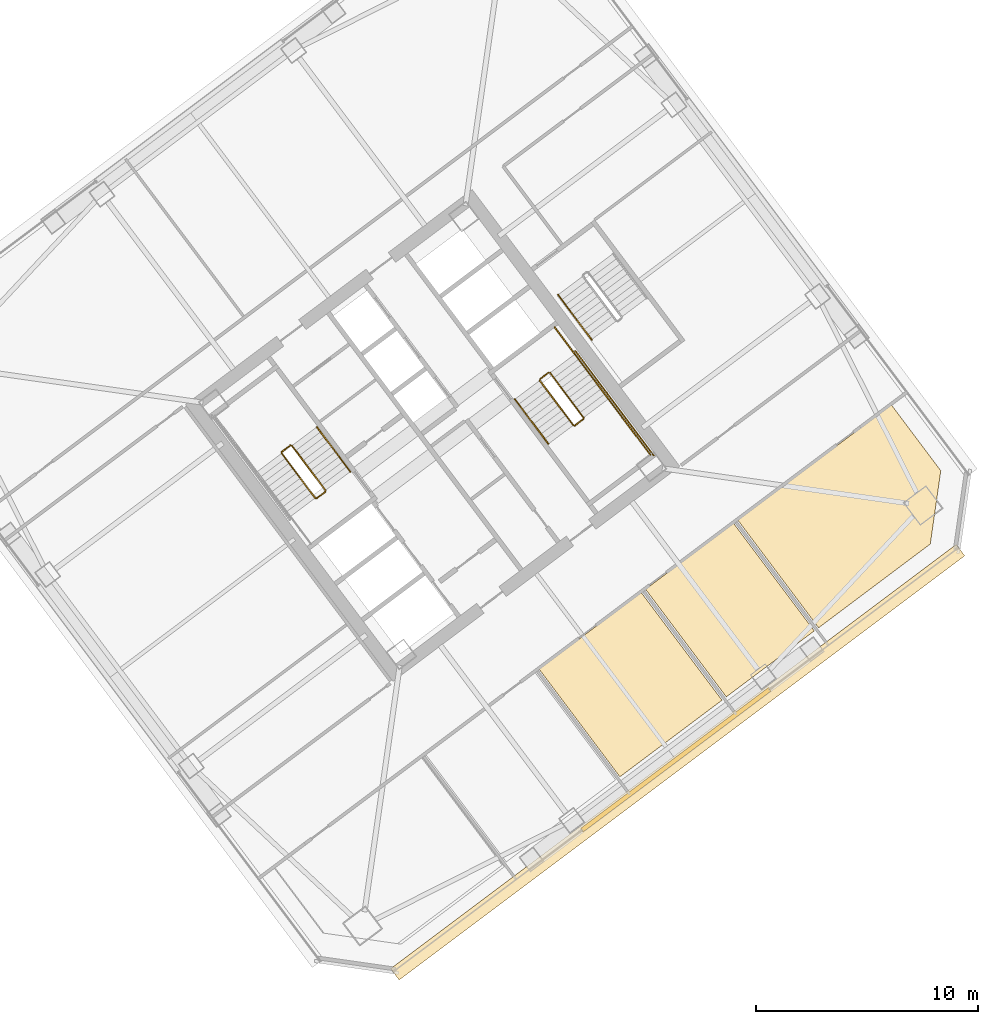
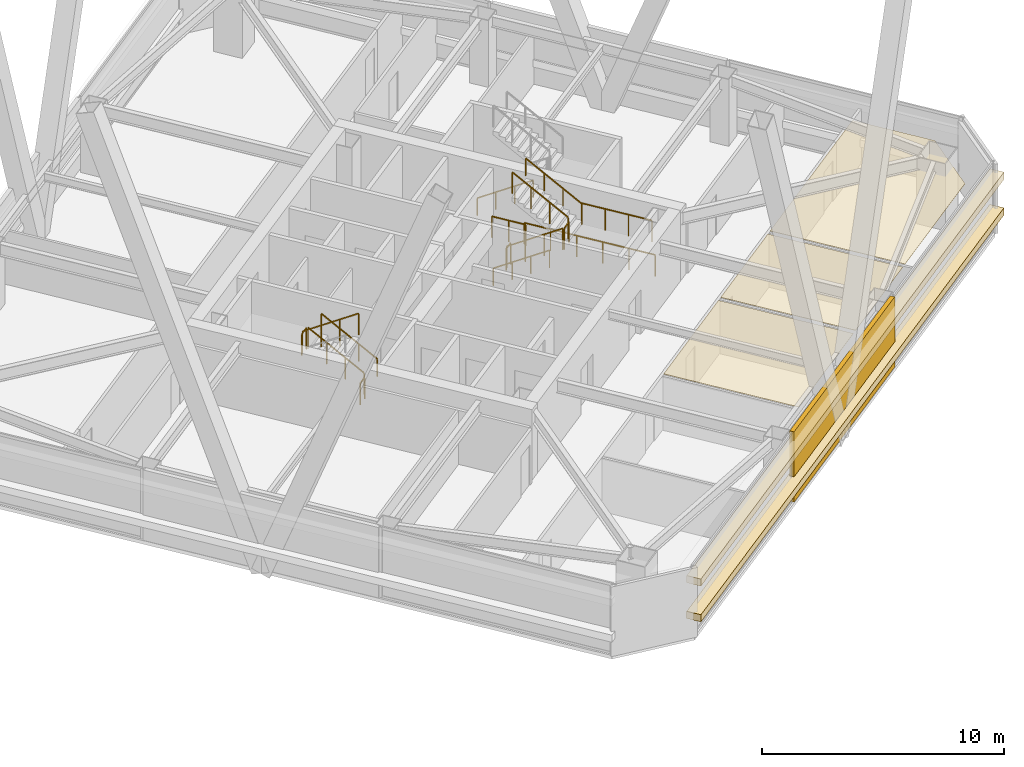
# One storey, part 48 of 50: 15 railings, 6 coverings.
"""IFC4 building model written with IfcOpenShell, lengths in metres."""

import ifcopenshell
import ifcopenshell.guid

model = None  # the IFC model being written
_history = None  # IfcOwnerHistory: only IFC2X3 demands one
_inside = {}  # id of a spatial element -> (the spatial element, [elements in it])
_under = {}  # id of a project, library or spatial element -> (it, [spatial elements below it])
_declared = {}  # id of a project -> (the project, [libraries it declares])
_typed = {}  # id of a type object -> (the type object, [elements of that type])
_made_of = {}  # id of a material, layer set ... -> (it, [elements and type objects made of it])


def new_model(schema):
    """Start an empty IFC model of exactly this schema.

    Asked for "IFC4X3", IfcOpenShell would pick the latest addendum, in which some entities
    have other attributes; the version numbers below select the first issue.
    IFC2X3 requires an IfcOwnerHistory on every rooted entity: one is made here for all.
    """
    global model, _history
    if schema == "IFC4X3":
        model = ifcopenshell.file(schema_version=(4, 3, 0, 0))
    else:
        model = ifcopenshell.file(schema=schema)
    _inside.clear()
    _under.clear()
    _declared.clear()
    _typed.clear()
    _made_of.clear()
    _history = None
    if model.schema == "IFC2X3":
        org = make("IfcOrganization", Name="unknown")
        user = make(
            "IfcPersonAndOrganization",
            ThePerson=make("IfcPerson", FamilyName="unknown"),
            TheOrganization=org,
        )
        app = make(
            "IfcApplication",
            ApplicationDeveloper=org,
            Version="unknown",
            ApplicationFullName="unknown",
            ApplicationIdentifier="unknown",
        )
        _history = make(
            "IfcOwnerHistory",
            OwningUser=user,
            OwningApplication=app,
            ChangeAction="ADDED",
            CreationDate=0,
        )
    return model


def make(cls, **values):
    """One entity of the class cls with the attributes given. An attribute that is None is left unset."""
    return model.create_entity(
        cls, **{name: value for name, value in values.items() if value is not None}
    )


def rooted(cls, **values):
    """An entity with a GlobalId (a new one), such as an element, a storey or a relation."""
    return make(cls, GlobalId=ifcopenshell.guid.new(), OwnerHistory=_history, **values)


def si_unit(unit_type, name, prefix=None):
    """IfcSIUnit, for example si_unit("LENGTHUNIT", "METRE", prefix="MILLI")."""
    return make("IfcSIUnit", UnitType=unit_type, Prefix=prefix, Name=name)


def assignment(units):
    """IfcUnitAssignment: the units of a project."""
    return None if units is None else make("IfcUnitAssignment", Units=units)


def point(xyz):
    """IfcCartesianPoint."""
    return None if xyz is None else make("IfcCartesianPoint", Coordinates=xyz)


def direction(xyz):
    """IfcDirection."""
    return None if xyz is None else make("IfcDirection", DirectionRatios=xyz)


def frame(location, z_axis=None, x_axis=None):
    """IfcAxis2Placement3D, a coordinate frame: its origin and axes. An axis left out is left unset."""
    return make(
        "IfcAxis2Placement3D",
        Location=point(location),
        Axis=direction(z_axis),
        RefDirection=direction(x_axis),
    )


def frame_2d(location, x_axis=None):
    """IfcAxis2Placement2D, a coordinate frame in the plane: its origin and x axis."""
    return make(
        "IfcAxis2Placement2D", Location=point(location), RefDirection=direction(x_axis)
    )


def origin():
    """The frame at (0, 0, 0) with its axes left unset."""
    return frame((0.0, 0.0, 0.0))


def origin_2d():
    """The frame at (0, 0) in the plane with its x axis left unset."""
    return frame_2d((0.0, 0.0))


def place(relative_to, where):
    """IfcLocalPlacement: puts the frame where relative to a parent placement (None: the world)."""
    return make(
        "IfcLocalPlacement", PlacementRelTo=relative_to, RelativePlacement=where
    )


def context(
    kind, dimensions, precision=None, world=None, true_north=None, identifier=None
):
    """IfcGeometricRepresentationContext, for example the 3D "Model" context."""
    return make(
        "IfcGeometricRepresentationContext",
        ContextIdentifier=identifier,
        ContextType=kind,
        CoordinateSpaceDimension=dimensions,
        Precision=precision,
        WorldCoordinateSystem=world,
        TrueNorth=true_north,
    )


def subcontext(parent, identifier, kind, view, scale=None):
    """IfcGeometricRepresentationSubContext, for example "Body" below "Model"."""
    return make(
        "IfcGeometricRepresentationSubContext",
        ContextIdentifier=identifier,
        ContextType=kind,
        ParentContext=parent,
        TargetScale=scale,
        TargetView=view,
    )


def project(units=None, contexts=None):
    """IfcProject with its units and contexts."""
    return rooted(
        "IfcProject",
        Name="project",
        RepresentationContexts=contexts,
        UnitsInContext=assignment(units),
    )


def spatial(cls, under=None, at=None, **own):
    """A site, building, storey or space (cls), placed at a placement, below another one or the project."""
    s = rooted(cls, ObjectPlacement=at, **own)
    if under is not None:
        _under.setdefault(under.id(), (under, []))[1].append(s)
    return s


def polyline(points):
    """IfcPolyline through the points."""
    return make("IfcPolyline", Points=[point(p) for p in points])


def profile(cls, at=None, kind="AREA", **sizes):
    """A parametric profile (cls). Its sizes go by their IFC names, for example OverallWidth=200.0."""
    return make(cls, ProfileType=kind, Position=at, **sizes)


def rectangle(**sizes):
    """IfcRectangleProfileDef."""
    return profile("IfcRectangleProfileDef", **sizes)


def outline(outer, holes=None, kind="AREA"):
    """IfcArbitraryClosedProfileDef: a profile drawn as a closed curve; with holes, ...WithVoids."""
    if holes is None:
        return make("IfcArbitraryClosedProfileDef", ProfileType=kind, OuterCurve=outer)
    return make(
        "IfcArbitraryProfileDefWithVoids",
        ProfileType=kind,
        OuterCurve=outer,
        InnerCurves=holes,
    )


def extrude(swept, where, along, depth):
    """IfcExtrudedAreaSolid: the profile swept, set in the frame where, extruded along a direction by depth."""
    return make(
        "IfcExtrudedAreaSolid",
        SweptArea=swept,
        Position=where,
        ExtrudedDirection=direction(along),
        Depth=depth,
    )


def shape(context_of_items, identifier, shape_type, items):
    """IfcShapeRepresentation: the items that make up one representation, for example the "Body"."""
    return make(
        "IfcShapeRepresentation",
        ContextOfItems=context_of_items,
        RepresentationIdentifier=identifier,
        RepresentationType=shape_type,
        Items=items,
    )


def material(Name=None, Category=None):
    """IfcMaterial."""
    return make("IfcMaterial", Name=Name, Category=Category)


def layer(
    of_material, thickness, ventilated=None, Name=None, Category=None, Priority=None
):
    """IfcMaterialLayer: one layer of a wall or slab, of a material (None: an air gap)."""
    return make(
        "IfcMaterialLayer",
        Material=of_material,
        LayerThickness=thickness,
        IsVentilated=ventilated,
        Name=Name,
        Category=Category,
        Priority=Priority,
    )


def layer_set(layers, Name=None):
    """IfcMaterialLayerSet."""
    return make("IfcMaterialLayerSet", MaterialLayers=layers, LayerSetName=Name)


def made_of(thing, what):
    """Note that an element or type object is made of a material, layer set ...; save() writes the relation."""
    if what is not None:
        _made_of.setdefault(what.id(), (what, []))[1].append(thing)
    return thing


def type_object(cls, material=None, **own):
    """A type object (cls), such as IfcWallType, which elements share."""
    return made_of(rooted(cls, **own), material)


def element(
    cls,
    number,
    at=None,
    inside=None,
    cuts=None,
    type_object=None,
    material=None,
    context=None,
    identifier="Body",
    shape_type=None,
    held_by="IfcProductDefinitionShape",
    body=None,
    shapes=None,
    **own,
):
    """One element of the class cls, such as IfcWall. Its Tag is "e" and its number.

    at: its placement. inside: the storey or other place that contains it. cuts: it is an
    opening in that element (IfcRelVoidsElement). A single representation is given by context,
    identifier, shape_type and body (its items); several are given by shapes. held_by: the class
    of the entity that holds the representations. save() writes the other relations.
    """
    e = rooted(cls, Tag="e%d" % number, ObjectPlacement=at, **own)
    if body is not None:
        shapes = [shape(context, identifier, shape_type, body)]
    if shapes is not None:
        e.Representation = make(held_by, Representations=shapes)
    if inside is not None:
        _inside.setdefault(inside.id(), (inside, []))[1].append(e)
    if cuts is not None:
        rooted(
            "IfcRelVoidsElement", RelatingBuildingElement=cuts, RelatedOpeningElement=e
        )
    if type_object is not None:
        _typed.setdefault(type_object.id(), (type_object, []))[1].append(e)
    return made_of(e, material)


def aggregate(whole, parts):
    """IfcRelAggregates: a whole, such as a stair, and the parts it consists of."""
    return rooted("IfcRelAggregates", RelatingObject=whole, RelatedObjects=parts)


def save(model, path):
    """Write the relations noted so far, then the file.

    IfcRelAggregates (storeys below a building ...), IfcRelContainedInSpatialStructure (elements
    in a storey), IfcRelDefinesByType, IfcRelAssociatesMaterial and IfcRelDeclares: one each for
    every whole, place, type object, material and project.
    """
    for whole, parts in _under.values():
        aggregate(whole, parts)
    for where, things in _inside.values():
        rooted(
            "IfcRelContainedInSpatialStructure",
            RelatedElements=things,
            RelatingStructure=where,
        )
    for kind, things in _typed.values():
        rooted("IfcRelDefinesByType", RelatedObjects=things, RelatingType=kind)
    for what, things in _made_of.values():
        rooted("IfcRelAssociatesMaterial", RelatedObjects=things, RelatingMaterial=what)
    for by, libraries in _declared.values():
        rooted("IfcRelDeclares", RelatingContext=by, RelatedDefinitions=libraries)
    model.write(path)


model = new_model("IFC4")

# Units and contexts
model_context = context("Model", 3, precision=1e-05, world=origin(), true_north=direction((0.0, 1.0)))
body_context = subcontext(model_context, "Body", "Model", "MODEL_VIEW")
ifc_project = project(units=[si_unit("LENGTHUNIT", "METRE"), si_unit("AREAUNIT", "SQUARE_METRE"), si_unit("VOLUMEUNIT", "CUBIC_METRE"), si_unit("PLANEANGLEUNIT", "RADIAN"), si_unit("MASSUNIT", "GRAM", prefix="KILO")], contexts=[model_context])

# Site, building, storey
site_placement = place(None, origin())
site = spatial("IfcSite", under=ifc_project, at=site_placement, CompositionType="ELEMENT")
building_placement = place(site_placement, origin())
building = spatial("IfcBuilding", under=site, at=building_placement, Name="Tashvorn Skyway Center", CompositionType="ELEMENT")
storey_placement = place(building_placement, frame((0.0, 0.0, 114.39990234375)))
storey = spatial("IfcBuildingStorey", under=building, at=storey_placement, Name="L30", CompositionType="ELEMENT", Elevation=114.39990234375)

# Coverings
ifc_material_1 = material(Name="Precast concrete C40/50", Category="concrete")
ifc_layer_1 = layer(ifc_material_1, 0.199951171875)
ifc_layer_set_1 = layer_set([ifc_layer_1], Name="Precast concrete C40/50")
covering_type_1 = type_object("IfcCoveringType", Name="COV-BRACE-CLAD", PredefinedType="CLADDING", material=ifc_layer_set_1)
covering_1_placement = place(storey_placement, frame((124.968017578125, 17.3759765625, 0.0), z_axis=(0.0, 0.0, 1.0), x_axis=(-0.799999996291, -0.600000004945, 0.0)))
element("IfcCovering", 1, at=covering_1_placement, inside=storey, type_object=covering_type_1, Name="Tower 2 L30 South Unitised Curtain Wall Mega-Brace Cladding Band 1", PredefinedType="CLADDING", context=body_context, shape_type="SweptSolid", body=[
    extrude(rectangle(XDim=10.586669921875, YDim=0.199951171875, at=origin_2d()), origin(), (0.0, 0.0, 1.0), 3.550048828125),
])
ifc_material_2 = material(Name="Mineral-fibre acoustic ceiling tile on suspended grid")
ifc_layer_2 = layer(ifc_material_2, 0.02001953125)
ifc_layer_set_2 = layer_set([ifc_layer_2], Name="Mineral-fibre acoustic ceiling tile on suspended grid")
covering_type_2 = type_object("IfcCoveringType", Name="COV-CEIL-20", PredefinedType="CEILING", material=ifc_layer_set_2)
covering_2_placement = place(storey_placement, frame((0.0, 0.0, 2.703125)))
element("IfcCovering", 2, at=covering_2_placement, inside=storey, type_object=covering_type_2, Name="Tower 2 L30 Design Studio Acoustic Ceiling", PredefinedType="CEILING", context=body_context, shape_type="SweptSolid", body=[
    extrude(outline(polyline([(118.802001953125, 21.464111328125), (123.409912109375, 24.919921875), (127.052001953125, 20.06396484375), (122.444091796875, 16.60791015625), (118.802001953125, 21.464111328125)])), origin(), (0.0, 0.0, 1.0), 0.02001953125),
])
covering_3_placement = place(storey_placement, frame((0.0, 0.0, 2.703125)))
element("IfcCovering", 3, at=covering_3_placement, inside=storey, type_object=covering_type_2, Name="Tower 2 L30 Reading Lounge Acoustic Ceiling", PredefinedType="CEILING", context=body_context, shape_type="SweptSolid", body=[
    extrude(outline(polyline([(123.60205078125, 25.06396484375), (127.570068359375, 28.0400390625), (131.2119140625, 23.18408203125), (127.243896484375, 20.2080078125), (123.60205078125, 25.06396484375)])), origin(), (0.0, 0.0, 1.0), 0.02001953125),
])
covering_4_placement = place(storey_placement, frame((0.0, 0.0, 2.703125)))
element("IfcCovering", 4, at=covering_4_placement, inside=storey, type_object=covering_type_2, Name="Tower 2 L30 Open Plan Office Acoustic Ceiling", PredefinedType="CEILING", context=body_context, shape_type="SweptSolid", body=[
    extrude(outline(polyline([(131.404052734375, 23.327880859375), (127.761962890625, 28.18408203125), (134.68994140625, 33.3798828125), (136.916015625, 30.412109375), (136.444091796875, 27.10791015625), (131.404052734375, 23.327880859375)])), origin(), (0.0, 0.0, 1.0), 0.02001953125),
])
ifc_material_3 = material(Name="Perforated ceramic-coated bronze aluminium solar screen", Category="aluminium")
ifc_layer_3 = layer(ifc_material_3, 0.85009765625)
ifc_layer_set_3 = layer_set([ifc_layer_3], Name="Perforated ceramic-coated bronze aluminium solar screen")
covering_type_3 = type_object("IfcCoveringType", Name="COV-SOLAR-BAND", PredefinedType="CLADDING", material=ifc_layer_set_3)
for number, where, z_axis, x_axis, name in (
    (5, (125.052001953125, 17.263916015625, 0.919921875), (0.0, 0.0, 1.0), (-0.799999996291, -0.600000004945, 0.0), "L30 Perforated Ceramic-Metal Solar Screen Louvre Band South 1"),
    (6, (125.052001953125, 17.263916015625, 2.72021484375), (0.0, 0.0, 1.0), (-0.799999996291, -0.600000004945, 0.0), "L30 Perforated Ceramic-Metal Solar Screen Louvre Band South 2"),
):
    element("IfcCovering", number, at=place(storey_placement, frame(where, z_axis=z_axis, x_axis=x_axis)), inside=storey, type_object=covering_type_3, Name=name, PredefinedType="CLADDING", context=body_context, shape_type="SweptSolid", body=[
        extrude(rectangle(XDim=31.8798828125, YDim=0.639892578125, at=origin_2d()), origin(), (0.0, 0.0, 1.0), 0.360107421875),
    ])

# Railings
ifc_material_4 = material(Name="Brushed stainless steel 316", Category="steel")
railing_type_1 = type_object("IfcRailingType", Name="RAIL-HAND-920", PredefinedType="HANDRAIL", material=ifc_material_4)
railing_1_placement = place(storey_placement, frame((110.2880859375, 30.365966796875, 0.177490234375)))
element("IfcRailing", 7, at=railing_1_placement, inside=storey, type_object=railing_type_1, Name="L30 ST-T2-1 stair handrail 1", PredefinedType="HANDRAIL", context=body_context, shape_type="SweptSolid", body=[
    extrude(rectangle(XDim=0.048095703125, YDim=0.048095703125, at=origin_2d()), frame((0.0, 0.0, 0.8759765625), z_axis=(-0.506779409603, 0.675651334276, 0.53541563714), x_axis=(-0.799976749893, -0.600030998891, 0.0)), (0.0, 0.0, 1.0), 2.98388671875),
    extrude(rectangle(XDim=0.0419921875, YDim=0.0419921875, at=origin_2d()), origin(), (0.0, 0.0, 1.0), 0.851806640625),
    extrude(rectangle(XDim=0.0419921875, YDim=0.0419921875, at=origin_2d()), frame((-0.504150390625, 0.672119140625, 0.532470703125)), (0.0, 0.0, 1.0), 0.851806640625),
    extrude(rectangle(XDim=0.0419921875, YDim=0.0419921875, at=origin_2d()), frame((-1.008056640625, 1.343994140625, 1.065185546875)), (0.0, 0.0, 1.0), 0.851806640625),
    extrude(rectangle(XDim=0.0419921875, YDim=0.0419921875, at=origin_2d()), frame((-1.51220703125, 2.01611328125, 1.59765625)), (0.0, 0.0, 1.0), 0.851806640625),
])
railing_2_placement = place(storey_placement, frame((117.7119140625, 33.634033203125, 0.177490234375)))
element("IfcRailing", 8, at=railing_2_placement, inside=storey, type_object=railing_type_1, Name="L30 ST-T2-2 stair handrail 1", PredefinedType="HANDRAIL", context=body_context, shape_type="SweptSolid", body=[
    extrude(rectangle(XDim=0.048095703125, YDim=0.048095703125, at=origin_2d()), frame((0.0, 0.0, 0.8759765625), z_axis=(0.506779409603, -0.675651334276, 0.53541563714), x_axis=(0.799976749893, 0.600030998891, 0.0)), (0.0, 0.0, 1.0), 2.98388671875),
    extrude(rectangle(XDim=0.0419921875, YDim=0.0419921875, at=origin_2d()), origin(), (0.0, 0.0, 1.0), 0.851806640625),
    extrude(rectangle(XDim=0.0419921875, YDim=0.0419921875, at=origin_2d()), frame((0.504150390625, -0.672119140625, 0.532470703125)), (0.0, 0.0, 1.0), 0.851806640625),
    extrude(rectangle(XDim=0.0419921875, YDim=0.0419921875, at=origin_2d()), frame((1.008056640625, -1.343994140625, 1.065185546875)), (0.0, 0.0, 1.0), 0.851806640625),
    extrude(rectangle(XDim=0.0419921875, YDim=0.0419921875, at=origin_2d()), frame((1.51220703125, -2.01611328125, 1.59765625)), (0.0, 0.0, 1.0), 0.851806640625),
])
railing_3_placement = place(storey_placement, frame((121.927978515625, 33.64599609375, 1.95263671875)))
element("IfcRailing", 9, at=railing_3_placement, inside=storey, type_object=railing_type_1, Name="L30 ST-T2-2 stair handrail 2", PredefinedType="HANDRAIL", context=body_context, shape_type="SweptSolid", body=[
    extrude(rectangle(XDim=0.048095703125, YDim=0.048095703125, at=origin_2d()), frame((0.0, 0.0, 0.8759765625), z_axis=(-0.506740800098, 0.675708949977, 0.535379469569), x_axis=(-0.800023250257, -0.599968998406, 0.0)), (0.0, 0.0, 1.0), 2.983642578125),
    extrude(rectangle(XDim=0.0419921875, YDim=0.0419921875, at=origin_2d()), origin(), (0.0, 0.0, 1.0), 0.851806640625),
    extrude(rectangle(XDim=0.0419921875, YDim=0.0419921875, at=origin_2d()), frame((-0.50390625, 0.672119140625, 0.532470703125)), (0.0, 0.0, 1.0), 0.851806640625),
    extrude(rectangle(XDim=0.0419921875, YDim=0.0419921875, at=origin_2d()), frame((-1.008056640625, 1.343994140625, 1.06494140625)), (0.0, 0.0, 1.0), 0.851806640625),
    extrude(rectangle(XDim=0.0419921875, YDim=0.0419921875, at=origin_2d()), frame((-1.511962890625, 2.01611328125, 1.597412109375)), (0.0, 0.0, 1.0), 0.851806640625),
])
railing_4_placement = place(storey_placement, frame((119.656005859375, 38.342041015625, 0.177490234375)))
element("IfcRailing", 10, at=railing_4_placement, inside=storey, type_object=railing_type_1, Name="L30 ST-T2-3 stair handrail 1", PredefinedType="HANDRAIL", context=body_context, shape_type="SweptSolid", body=[
    extrude(rectangle(XDim=0.048095703125, YDim=0.048095703125, at=origin_2d()), frame((0.0, 0.0, 0.8759765625), z_axis=(0.506718600913, -0.675679348675, 0.535437836974), x_axis=(0.800023250257, 0.599968998406, 0.0)), (0.0, 0.0, 1.0), 2.98388671875),
    extrude(rectangle(XDim=0.0419921875, YDim=0.0419921875, at=origin_2d()), origin(), (0.0, 0.0, 1.0), 0.851806640625),
    extrude(rectangle(XDim=0.0419921875, YDim=0.0419921875, at=origin_2d()), frame((0.50390625, -0.672119140625, 0.532470703125)), (0.0, 0.0, 1.0), 0.851806640625),
    extrude(rectangle(XDim=0.0419921875, YDim=0.0419921875, at=origin_2d()), frame((1.008056640625, -1.343994140625, 1.065185546875)), (0.0, 0.0, 1.0), 0.851806640625),
    extrude(rectangle(XDim=0.0419921875, YDim=0.0419921875, at=origin_2d()), frame((1.511962890625, -2.01611328125, 1.59765625)), (0.0, 0.0, 1.0), 0.851806640625),
])
ifc_material_5 = material(Name="Painted galvanized steel S355", Category="steel")
railing_type_2 = type_object("IfcRailingType", Name="RAIL-STGUARD-1100", PredefinedType="GUARDRAIL", material=ifc_material_5)
railing_5_placement = place(storey_placement, frame((109.16796875, 29.52587890625, 0.177490234375)))
element("IfcRailing", 11, at=railing_5_placement, inside=storey, type_object=railing_type_2, Name="L30 ST-T2-1 stair guard 1", PredefinedType="GUARDRAIL", context=body_context, shape_type="SweptSolid", body=[
    extrude(rectangle(XDim=0.048095703125, YDim=0.048095703125, at=origin_2d()), frame((0.0, 0.0, 1.076171875), z_axis=(-0.506718600913, 0.675679348675, 0.535437836974), x_axis=(-0.800023250257, -0.599968998406, 0.0)), (0.0, 0.0, 1.0), 2.98388671875),
    extrude(rectangle(XDim=0.0419921875, YDim=0.0419921875, at=origin_2d()), origin(), (0.0, 0.0, 1.0), 1.052001953125),
    extrude(rectangle(XDim=0.0419921875, YDim=0.0419921875, at=origin_2d()), frame((-0.50390625, 0.672119140625, 0.532470703125)), (0.0, 0.0, 1.0), 1.052001953125),
    extrude(rectangle(XDim=0.0419921875, YDim=0.0419921875, at=origin_2d()), frame((-1.008056640625, 1.343994140625, 1.065185546875)), (0.0, 0.0, 1.0), 1.052001953125),
    extrude(rectangle(XDim=0.0419921875, YDim=0.0419921875, at=origin_2d()), frame((-1.511962890625, 2.01611328125, 1.59765625)), (0.0, 0.0, 1.0), 1.052001953125),
])
railing_6_placement = place(storey_placement, frame((107.5859375, 31.552001953125, 1.775146484375)))
element("IfcRailing", 12, at=railing_6_placement, inside=storey, type_object=railing_type_2, Name="L30 ST-T2-1 stair guard 2", PredefinedType="GUARDRAIL", context=body_context, shape_type="SweptSolid", body=[
    extrude(rectangle(XDim=0.048095703125, YDim=0.048095703125, at=origin_2d()), frame((0.0, 0.0, 1.076171875), z_axis=(-0.799938970639, -0.600081363861, 0.0), x_axis=(0.600081363861, -0.799938970639, 0.0)), (0.0, 0.0, 1.0), 0.47998046875),
    extrude(rectangle(XDim=0.0419921875, YDim=0.0419921875, at=origin_2d()), origin(), (0.0, 0.0, 1.0), 1.052001953125),
    extrude(rectangle(XDim=0.0419921875, YDim=0.0419921875, at=origin_2d()), frame((-0.384033203125, -0.2880859375, 0.0)), (0.0, 0.0, 1.0), 1.052001953125),
])
railing_7_placement = place(storey_placement, frame((107.19189453125, 31.194091796875, 1.95263671875)))
element("IfcRailing", 13, at=railing_7_placement, inside=storey, type_object=railing_type_2, Name="L30 ST-T2-1 stair guard 4", PredefinedType="GUARDRAIL", context=body_context, shape_type="SweptSolid", body=[
    extrude(rectangle(XDim=0.048095703125, YDim=0.048095703125, at=origin_2d()), frame((0.0, 0.0, 1.076171875), z_axis=(0.506801609611, -0.675680931896, 0.535357270211), x_axis=(0.799976749893, 0.600030998891, 0.0)), (0.0, 0.0, 1.0), 2.98388671875),
    extrude(rectangle(XDim=0.0419921875, YDim=0.0419921875, at=origin_2d()), origin(), (0.0, 0.0, 1.0), 1.052001953125),
    extrude(rectangle(XDim=0.0419921875, YDim=0.0419921875, at=origin_2d()), frame((0.504150390625, -0.672119140625, 0.532470703125)), (0.0, 0.0, 1.0), 1.052001953125),
    extrude(rectangle(XDim=0.0419921875, YDim=0.0419921875, at=origin_2d()), frame((1.008056640625, -1.343994140625, 1.06494140625)), (0.0, 0.0, 1.0), 1.052001953125),
    extrude(rectangle(XDim=0.0419921875, YDim=0.0419921875, at=origin_2d()), frame((1.51220703125, -2.01611328125, 1.597412109375)), (0.0, 0.0, 1.0), 1.052001953125),
])
railing_8_placement = place(storey_placement, frame((109.157958984375, 29.4560546875, 0.0)))
element("IfcRailing", 14, at=railing_8_placement, inside=storey, type_object=railing_type_2, Name="L30 ST-T2-1 stair guard 5", PredefinedType="GUARDRAIL", context=body_context, shape_type="SweptSolid", body=[
    extrude(rectangle(XDim=0.048095703125, YDim=0.048095703125, at=origin_2d()), frame((0.0, 0.0, 1.076171875), z_axis=(-0.799938970639, -0.600081363861, 0.0), x_axis=(0.600081363861, -0.799938970639, 0.0)), (0.0, 0.0, 1.0), 0.47998046875),
    extrude(rectangle(XDim=0.0419921875, YDim=0.0419921875, at=origin_2d()), origin(), (0.0, 0.0, 1.0), 1.052001953125),
    extrude(rectangle(XDim=0.0419921875, YDim=0.0419921875, at=origin_2d()), frame((-0.384033203125, -0.2880859375, 0.0)), (0.0, 0.0, 1.0), 1.052001953125),
])
railing_9_placement = place(storey_placement, frame((118.83203125, 34.47412109375, 0.177490234375)))
element("IfcRailing", 15, at=railing_9_placement, inside=storey, type_object=railing_type_2, Name="L30 ST-T2-2 stair guard 1", PredefinedType="GUARDRAIL", context=body_context, shape_type="SweptSolid", body=[
    extrude(rectangle(XDim=0.048095703125, YDim=0.048095703125, at=origin_2d()), frame((0.0, 0.0, 1.076171875), z_axis=(0.506718600913, -0.675679348675, 0.535437836974), x_axis=(0.800023250257, 0.599968998406, 0.0)), (0.0, 0.0, 1.0), 2.98388671875),
    extrude(rectangle(XDim=0.0419921875, YDim=0.0419921875, at=origin_2d()), origin(), (0.0, 0.0, 1.0), 1.052001953125),
    extrude(rectangle(XDim=0.0419921875, YDim=0.0419921875, at=origin_2d()), frame((0.50390625, -0.672119140625, 0.532470703125)), (0.0, 0.0, 1.0), 1.052001953125),
    extrude(rectangle(XDim=0.0419921875, YDim=0.0419921875, at=origin_2d()), frame((1.008056640625, -1.343994140625, 1.065185546875)), (0.0, 0.0, 1.0), 1.052001953125),
    extrude(rectangle(XDim=0.0419921875, YDim=0.0419921875, at=origin_2d()), frame((1.511962890625, -2.01611328125, 1.59765625)), (0.0, 0.0, 1.0), 1.052001953125),
])
railing_10_placement = place(storey_placement, frame((120.4140625, 32.447998046875, 1.775146484375)))
element("IfcRailing", 16, at=railing_10_placement, inside=storey, type_object=railing_type_2, Name="L30 ST-T2-2 stair guard 2", PredefinedType="GUARDRAIL", context=body_context, shape_type="SweptSolid", body=[
    extrude(rectangle(XDim=0.048095703125, YDim=0.048095703125, at=origin_2d()), frame((0.0, 0.0, 1.076171875), z_axis=(0.799938970639, 0.600081363861, 0.0), x_axis=(-0.600081363861, 0.799938970639, 0.0)), (0.0, 0.0, 1.0), 0.47998046875),
    extrude(rectangle(XDim=0.0419921875, YDim=0.0419921875, at=origin_2d()), origin(), (0.0, 0.0, 1.0), 1.052001953125),
    extrude(rectangle(XDim=0.0419921875, YDim=0.0419921875, at=origin_2d()), frame((0.384033203125, 0.2880859375, 0.0)), (0.0, 0.0, 1.0), 1.052001953125),
])
railing_11_placement = place(storey_placement, frame((121.927978515625, 33.64599609375, 1.775146484375)))
element("IfcRailing", 17, at=railing_11_placement, inside=storey, type_object=railing_type_2, Name="L30 ST-T2-2 stair guard 3", PredefinedType="GUARDRAIL", context=body_context, shape_type="SweptSolid", body=[
    extrude(rectangle(XDim=0.048095703125, YDim=0.048095703125, at=origin_2d()), frame((0.0, 0.0, 1.076171875), z_axis=(0.599987638607, -0.800009270896, 0.0), x_axis=(0.800009270896, 0.599987638607, 0.0)), (0.0, 0.0, 1.0), 3.16015625),
    extrude(rectangle(XDim=0.0419921875, YDim=0.0419921875, at=origin_2d()), origin(), (0.0, 0.0, 1.0), 1.052001953125),
    extrude(rectangle(XDim=0.0419921875, YDim=0.0419921875, at=origin_2d()), frame((0.632080078125, -0.8427734375, 0.0)), (0.0, 0.0, 1.0), 1.052001953125),
    extrude(rectangle(XDim=0.0419921875, YDim=0.0419921875, at=origin_2d()), frame((1.263916015625, -1.685302734375, 0.0)), (0.0, 0.0, 1.0), 1.052001953125),
    extrude(rectangle(XDim=0.0419921875, YDim=0.0419921875, at=origin_2d()), frame((1.89599609375, -2.528076171875, 0.0)), (0.0, 0.0, 1.0), 1.052001953125),
])
railing_12_placement = place(storey_placement, frame((120.80810546875, 32.805908203125, 1.95263671875)))
element("IfcRailing", 18, at=railing_12_placement, inside=storey, type_object=railing_type_2, Name="L30 ST-T2-2 stair guard 4", PredefinedType="GUARDRAIL", context=body_context, shape_type="SweptSolid", body=[
    extrude(rectangle(XDim=0.048095703125, YDim=0.048095703125, at=origin_2d()), frame((0.0, 0.0, 1.076171875), z_axis=(-0.506801609611, 0.675680931896, 0.535357270211), x_axis=(-0.799976749893, -0.600030998891, 0.0)), (0.0, 0.0, 1.0), 2.98388671875),
    extrude(rectangle(XDim=0.0419921875, YDim=0.0419921875, at=origin_2d()), origin(), (0.0, 0.0, 1.0), 1.052001953125),
    extrude(rectangle(XDim=0.0419921875, YDim=0.0419921875, at=origin_2d()), frame((-0.504150390625, 0.672119140625, 0.532470703125)), (0.0, 0.0, 1.0), 1.052001953125),
    extrude(rectangle(XDim=0.0419921875, YDim=0.0419921875, at=origin_2d()), frame((-1.008056640625, 1.343994140625, 1.06494140625)), (0.0, 0.0, 1.0), 1.052001953125),
    extrude(rectangle(XDim=0.0419921875, YDim=0.0419921875, at=origin_2d()), frame((-1.51220703125, 2.01611328125, 1.597412109375)), (0.0, 0.0, 1.0), 1.052001953125),
])
railing_13_placement = place(storey_placement, frame((118.842041015625, 34.5439453125, 0.0)))
element("IfcRailing", 19, at=railing_13_placement, inside=storey, type_object=railing_type_2, Name="L30 ST-T2-2 stair guard 5", PredefinedType="GUARDRAIL", context=body_context, shape_type="SweptSolid", body=[
    extrude(rectangle(XDim=0.048095703125, YDim=0.048095703125, at=origin_2d()), frame((0.0, 0.0, 1.076171875), z_axis=(0.799938970639, 0.600081363861, 0.0), x_axis=(-0.600081363861, 0.799938970639, 0.0)), (0.0, 0.0, 1.0), 0.47998046875),
    extrude(rectangle(XDim=0.0419921875, YDim=0.0419921875, at=origin_2d()), origin(), (0.0, 0.0, 1.0), 1.052001953125),
    extrude(rectangle(XDim=0.0419921875, YDim=0.0419921875, at=origin_2d()), frame((0.384033203125, 0.2880859375, 0.0)), (0.0, 0.0, 1.0), 1.052001953125),
])
railing_14_placement = place(storey_placement, frame((119.50390625, 36.8779296875, 0.0)))
element("IfcRailing", 20, at=railing_14_placement, inside=storey, type_object=railing_type_2, Name="L30 ST-T2-2 stair guard 6", PredefinedType="GUARDRAIL", context=body_context, shape_type="SweptSolid", body=[
    extrude(rectangle(XDim=0.048095703125, YDim=0.048095703125, at=origin_2d()), frame((0.0, 0.0, 1.076171875), z_axis=(0.600102796382, -0.799922892393, 0.0), x_axis=(0.799922892393, 0.600102796382, 0.0)), (0.0, 0.0, 1.0), 1.52001953125),
    extrude(rectangle(XDim=0.0419921875, YDim=0.0419921875, at=origin_2d()), origin(), (0.0, 0.0, 1.0), 1.052001953125),
    extrude(rectangle(XDim=0.0419921875, YDim=0.0419921875, at=origin_2d()), frame((0.4560546875, -0.60791015625, 0.0)), (0.0, 0.0, 1.0), 1.052001953125),
    extrude(rectangle(XDim=0.0419921875, YDim=0.0419921875, at=origin_2d()), frame((0.912109375, -1.2158203125, 0.0)), (0.0, 0.0, 1.0), 1.052001953125),
])
railing_15_placement = place(storey_placement, frame((120.43603515625, 35.802001953125, 0.0)))
element("IfcRailing", 21, at=railing_15_placement, inside=storey, type_object=railing_type_2, Name="L30 ST-T2-2 stair guard 7", PredefinedType="GUARDRAIL", context=body_context, shape_type="SweptSolid", body=[
    extrude(rectangle(XDim=0.048095703125, YDim=0.048095703125, at=origin_2d()), frame((0.0, 0.0, 1.076171875), z_axis=(0.6, -0.8, 0.0), x_axis=(0.8, 0.6, 0.0)), (0.0, 0.0, 1.0), 5.880126953125),
    extrude(rectangle(XDim=0.0419921875, YDim=0.0419921875, at=origin_2d()), origin(), (0.0, 0.0, 1.0), 1.052001953125),
    extrude(rectangle(XDim=0.0419921875, YDim=0.0419921875, at=origin_2d()), frame((0.70556640625, -0.94091796875, 0.0)), (0.0, 0.0, 1.0), 1.052001953125),
    extrude(rectangle(XDim=0.0419921875, YDim=0.0419921875, at=origin_2d()), frame((1.4111328125, -1.881591796875, 0.0)), (0.0, 0.0, 1.0), 1.052001953125),
    extrude(rectangle(XDim=0.0419921875, YDim=0.0419921875, at=origin_2d()), frame((2.116943359375, -2.822509765625, 0.0)), (0.0, 0.0, 1.0), 1.052001953125),
    extrude(rectangle(XDim=0.0419921875, YDim=0.0419921875, at=origin_2d()), frame((2.822509765625, -3.76318359375, 0.0)), (0.0, 0.0, 1.0), 1.052001953125),
    extrude(rectangle(XDim=0.0419921875, YDim=0.0419921875, at=origin_2d()), frame((3.528076171875, -4.7041015625, 0.0)), (0.0, 0.0, 1.0), 1.052001953125),
])

save(model, "model.ifc")
